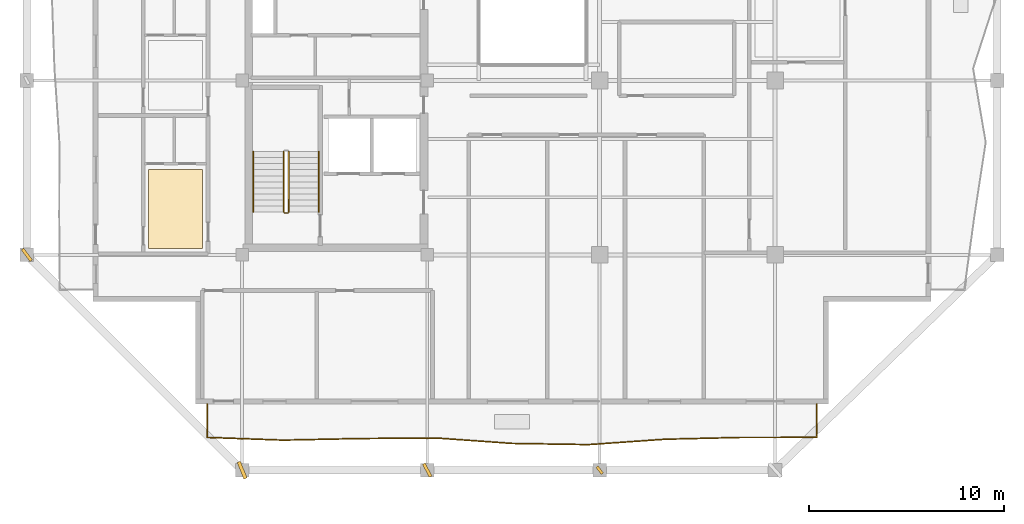
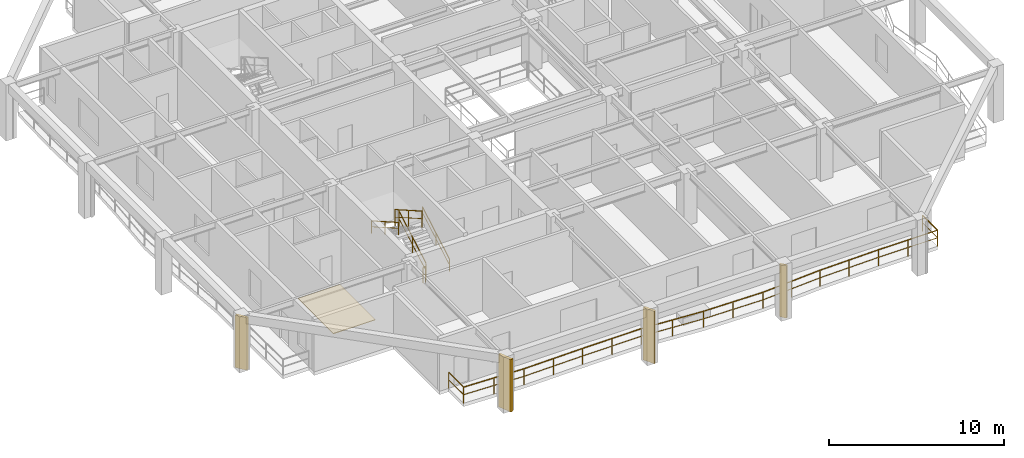
# One storey, part 7 of 11: 6 railings, 4 shading devices, 1 covering.
"""IFC4 building model written with IfcOpenShell, lengths in metres."""

import ifcopenshell
import ifcopenshell.guid

model = None  # the IFC model being written
_history = None  # IfcOwnerHistory: only IFC2X3 demands one
_inside = {}  # id of a spatial element -> (the spatial element, [elements in it])
_under = {}  # id of a project, library or spatial element -> (it, [spatial elements below it])
_declared = {}  # id of a project -> (the project, [libraries it declares])
_typed = {}  # id of a type object -> (the type object, [elements of that type])
_made_of = {}  # id of a material, layer set ... -> (it, [elements and type objects made of it])


def new_model(schema):
    """Start an empty IFC model of exactly this schema.

    Asked for "IFC4X3", IfcOpenShell would pick the latest addendum, in which some entities
    have other attributes; the version numbers below select the first issue.
    IFC2X3 requires an IfcOwnerHistory on every rooted entity: one is made here for all.
    """
    global model, _history
    if schema == "IFC4X3":
        model = ifcopenshell.file(schema_version=(4, 3, 0, 0))
    else:
        model = ifcopenshell.file(schema=schema)
    _inside.clear()
    _under.clear()
    _declared.clear()
    _typed.clear()
    _made_of.clear()
    _history = None
    if model.schema == "IFC2X3":
        org = make("IfcOrganization", Name="unknown")
        user = make(
            "IfcPersonAndOrganization",
            ThePerson=make("IfcPerson", FamilyName="unknown"),
            TheOrganization=org,
        )
        app = make(
            "IfcApplication",
            ApplicationDeveloper=org,
            Version="unknown",
            ApplicationFullName="unknown",
            ApplicationIdentifier="unknown",
        )
        _history = make(
            "IfcOwnerHistory",
            OwningUser=user,
            OwningApplication=app,
            ChangeAction="ADDED",
            CreationDate=0,
        )
    return model


def make(cls, **values):
    """One entity of the class cls with the attributes given. An attribute that is None is left unset."""
    return model.create_entity(
        cls, **{name: value for name, value in values.items() if value is not None}
    )


def rooted(cls, **values):
    """An entity with a GlobalId (a new one), such as an element, a storey or a relation."""
    return make(cls, GlobalId=ifcopenshell.guid.new(), OwnerHistory=_history, **values)


def si_unit(unit_type, name, prefix=None):
    """IfcSIUnit, for example si_unit("LENGTHUNIT", "METRE", prefix="MILLI")."""
    return make("IfcSIUnit", UnitType=unit_type, Prefix=prefix, Name=name)


def assignment(units):
    """IfcUnitAssignment: the units of a project."""
    return None if units is None else make("IfcUnitAssignment", Units=units)


def point(xyz):
    """IfcCartesianPoint."""
    return None if xyz is None else make("IfcCartesianPoint", Coordinates=xyz)


def direction(xyz):
    """IfcDirection."""
    return None if xyz is None else make("IfcDirection", DirectionRatios=xyz)


def frame(location, z_axis=None, x_axis=None):
    """IfcAxis2Placement3D, a coordinate frame: its origin and axes. An axis left out is left unset."""
    return make(
        "IfcAxis2Placement3D",
        Location=point(location),
        Axis=direction(z_axis),
        RefDirection=direction(x_axis),
    )


def frame_2d(location, x_axis=None):
    """IfcAxis2Placement2D, a coordinate frame in the plane: its origin and x axis."""
    return make(
        "IfcAxis2Placement2D", Location=point(location), RefDirection=direction(x_axis)
    )


def origin():
    """The frame at (0, 0, 0) with its axes left unset."""
    return frame((0.0, 0.0, 0.0))


def origin_2d():
    """The frame at (0, 0) in the plane with its x axis left unset."""
    return frame_2d((0.0, 0.0))


def place(relative_to, where):
    """IfcLocalPlacement: puts the frame where relative to a parent placement (None: the world)."""
    return make(
        "IfcLocalPlacement", PlacementRelTo=relative_to, RelativePlacement=where
    )


def context(
    kind, dimensions, precision=None, world=None, true_north=None, identifier=None
):
    """IfcGeometricRepresentationContext, for example the 3D "Model" context."""
    return make(
        "IfcGeometricRepresentationContext",
        ContextIdentifier=identifier,
        ContextType=kind,
        CoordinateSpaceDimension=dimensions,
        Precision=precision,
        WorldCoordinateSystem=world,
        TrueNorth=true_north,
    )


def subcontext(parent, identifier, kind, view, scale=None):
    """IfcGeometricRepresentationSubContext, for example "Body" below "Model"."""
    return make(
        "IfcGeometricRepresentationSubContext",
        ContextIdentifier=identifier,
        ContextType=kind,
        ParentContext=parent,
        TargetScale=scale,
        TargetView=view,
    )


def project(units=None, contexts=None):
    """IfcProject with its units and contexts."""
    return rooted(
        "IfcProject",
        Name="project",
        RepresentationContexts=contexts,
        UnitsInContext=assignment(units),
    )


def spatial(cls, under=None, at=None, **own):
    """A site, building, storey or space (cls), placed at a placement, below another one or the project."""
    s = rooted(cls, ObjectPlacement=at, **own)
    if under is not None:
        _under.setdefault(under.id(), (under, []))[1].append(s)
    return s


def polyline(points):
    """IfcPolyline through the points."""
    return make("IfcPolyline", Points=[point(p) for p in points])


def profile(cls, at=None, kind="AREA", **sizes):
    """A parametric profile (cls). Its sizes go by their IFC names, for example OverallWidth=200.0."""
    return make(cls, ProfileType=kind, Position=at, **sizes)


def rectangle(**sizes):
    """IfcRectangleProfileDef."""
    return profile("IfcRectangleProfileDef", **sizes)


def outline(outer, holes=None, kind="AREA"):
    """IfcArbitraryClosedProfileDef: a profile drawn as a closed curve; with holes, ...WithVoids."""
    if holes is None:
        return make("IfcArbitraryClosedProfileDef", ProfileType=kind, OuterCurve=outer)
    return make(
        "IfcArbitraryProfileDefWithVoids",
        ProfileType=kind,
        OuterCurve=outer,
        InnerCurves=holes,
    )


def extrude(swept, where, along, depth):
    """IfcExtrudedAreaSolid: the profile swept, set in the frame where, extruded along a direction by depth."""
    return make(
        "IfcExtrudedAreaSolid",
        SweptArea=swept,
        Position=where,
        ExtrudedDirection=direction(along),
        Depth=depth,
    )


def shape(context_of_items, identifier, shape_type, items):
    """IfcShapeRepresentation: the items that make up one representation, for example the "Body"."""
    return make(
        "IfcShapeRepresentation",
        ContextOfItems=context_of_items,
        RepresentationIdentifier=identifier,
        RepresentationType=shape_type,
        Items=items,
    )


def material(Name=None, Category=None):
    """IfcMaterial."""
    return make("IfcMaterial", Name=Name, Category=Category)


def layer(
    of_material, thickness, ventilated=None, Name=None, Category=None, Priority=None
):
    """IfcMaterialLayer: one layer of a wall or slab, of a material (None: an air gap)."""
    return make(
        "IfcMaterialLayer",
        Material=of_material,
        LayerThickness=thickness,
        IsVentilated=ventilated,
        Name=Name,
        Category=Category,
        Priority=Priority,
    )


def layer_set(layers, Name=None):
    """IfcMaterialLayerSet."""
    return make("IfcMaterialLayerSet", MaterialLayers=layers, LayerSetName=Name)


def made_of(thing, what):
    """Note that an element or type object is made of a material, layer set ...; save() writes the relation."""
    if what is not None:
        _made_of.setdefault(what.id(), (what, []))[1].append(thing)
    return thing


def type_object(cls, material=None, **own):
    """A type object (cls), such as IfcWallType, which elements share."""
    return made_of(rooted(cls, **own), material)


def element(
    cls,
    number,
    at=None,
    inside=None,
    cuts=None,
    type_object=None,
    material=None,
    context=None,
    identifier="Body",
    shape_type=None,
    held_by="IfcProductDefinitionShape",
    body=None,
    shapes=None,
    **own,
):
    """One element of the class cls, such as IfcWall. Its Tag is "e" and its number.

    at: its placement. inside: the storey or other place that contains it. cuts: it is an
    opening in that element (IfcRelVoidsElement). A single representation is given by context,
    identifier, shape_type and body (its items); several are given by shapes. held_by: the class
    of the entity that holds the representations. save() writes the other relations.
    """
    e = rooted(cls, Tag="e%d" % number, ObjectPlacement=at, **own)
    if body is not None:
        shapes = [shape(context, identifier, shape_type, body)]
    if shapes is not None:
        e.Representation = make(held_by, Representations=shapes)
    if inside is not None:
        _inside.setdefault(inside.id(), (inside, []))[1].append(e)
    if cuts is not None:
        rooted(
            "IfcRelVoidsElement", RelatingBuildingElement=cuts, RelatedOpeningElement=e
        )
    if type_object is not None:
        _typed.setdefault(type_object.id(), (type_object, []))[1].append(e)
    return made_of(e, material)


def aggregate(whole, parts):
    """IfcRelAggregates: a whole, such as a stair, and the parts it consists of."""
    return rooted("IfcRelAggregates", RelatingObject=whole, RelatedObjects=parts)


def save(model, path):
    """Write the relations noted so far, then the file.

    IfcRelAggregates (storeys below a building ...), IfcRelContainedInSpatialStructure (elements
    in a storey), IfcRelDefinesByType, IfcRelAssociatesMaterial and IfcRelDeclares: one each for
    every whole, place, type object, material and project.
    """
    for whole, parts in _under.values():
        aggregate(whole, parts)
    for where, things in _inside.values():
        rooted(
            "IfcRelContainedInSpatialStructure",
            RelatedElements=things,
            RelatingStructure=where,
        )
    for kind, things in _typed.values():
        rooted("IfcRelDefinesByType", RelatedObjects=things, RelatingType=kind)
    for what, things in _made_of.values():
        rooted("IfcRelAssociatesMaterial", RelatedObjects=things, RelatingMaterial=what)
    for by, libraries in _declared.values():
        rooted("IfcRelDeclares", RelatingContext=by, RelatedDefinitions=libraries)
    model.write(path)


model = new_model("IFC4")

# Units and contexts
model_context = context("Model", 3, precision=1e-05, world=origin(), true_north=direction((0.0, 1.0)))
body_context = subcontext(model_context, "Body", "Model", "MODEL_VIEW")
ifc_project = project(units=[si_unit("LENGTHUNIT", "METRE"), si_unit("AREAUNIT", "SQUARE_METRE"), si_unit("VOLUMEUNIT", "CUBIC_METRE"), si_unit("PLANEANGLEUNIT", "RADIAN"), si_unit("MASSUNIT", "GRAM", prefix="KILO")], contexts=[model_context])

# Site, building, storey
site_placement = place(None, origin())
site = spatial("IfcSite", under=ifc_project, at=site_placement, CompositionType="ELEMENT")
building_placement = place(site_placement, origin())
building = spatial("IfcBuilding", under=site, at=building_placement, Name="Kundavana Baori Tower", CompositionType="ELEMENT")
storey_placement = place(building_placement, frame((0.0, 0.0, 264.800048828125)))
storey = spatial("IfcBuildingStorey", under=building, at=storey_placement, Name="L65", CompositionType="ELEMENT", Elevation=264.800048828125)

# Covering
ifc_material_1 = material(Name="Honed Kota Stone and Terrazzo Flooring", Category="masonry")
ifc_layer = layer(ifc_material_1, 0.0400390625, Name="COV-FLR-TERR-40")
ifc_layer_set = layer_set([ifc_layer], Name="Honed Kota Stone and Terrazzo Flooring")
covering_type = type_object("IfcCoveringType", Name="COV-FLR-TERR-40", PredefinedType="FLOORING", material=ifc_layer_set)
covering_placement = place(storey_placement, origin())
element("IfcCovering", 1, at=covering_placement, inside=storey, type_object=covering_type, Name="L65 Room Finished Stone Flooring 1", PredefinedType="FLOORING", context=body_context, shape_type="SweptSolid", body=[
    extrude(outline(polyline([(10.64990234375, 15.580078125), (13.419921875, 15.580078125), (13.419921875, 19.639892578125), (10.64990234375, 19.639892578125), (10.64990234375, 15.580078125)])), origin(), (0.0, 0.0, 1.0), 0.0400390625),
])

# Railings
ifc_material_2 = material(Name="Architectural Patinated Bronze Metalwork")
railing_type_1 = type_object("IfcRailingType", Name="RL-BAL-1150", PredefinedType="BALUSTRADE", material=ifc_material_2)
railing_1_placement = place(storey_placement, frame((44.949951171875, 7.60009765625, 0.0)))
element("IfcRailing", 2, at=railing_1_placement, inside=storey, type_object=railing_type_1, Name="L65 Loggia Balcony Balustrade S", PredefinedType="BALUSTRADE", context=body_context, shape_type="SweptSolid", body=[
    extrude(rectangle(XDim=0.048095703125, YDim=0.048095703125, at=origin_2d()), frame((0.0, 0.0, 1.1259765625), z_axis=(0.0, -1.0, 0.0), x_axis=(1.0, 0.0, 0.0)), (0.0, 0.0, 1.0), 1.72021484375),
    extrude(rectangle(XDim=0.03125, YDim=0.03125, at=origin_2d()), frame((0.0, 0.0, 0.597900390625), z_axis=(0.0, -1.0, 0.0), x_axis=(1.0, 0.0, 0.0)), (0.0, 0.0, 1.0), 1.72021484375),
    extrude(rectangle(XDim=0.048095703125, YDim=0.048095703125, at=origin_2d()), frame((0.0, -1.72021484375, 1.1259765625), z_axis=(-0.999999719557, -0.000748923213, 0.0), x_axis=(0.000748923213, -0.999999719557, 0.0)), (0.0, 0.0, 1.0), 3.911865234375),
    extrude(rectangle(XDim=0.03125, YDim=0.03125, at=origin_2d()), frame((0.0, -1.72021484375, 0.597900390625), z_axis=(-0.999999719557, -0.000748923213, 0.0), x_axis=(0.000748923213, -0.999999719557, 0.0)), (0.0, 0.0, 1.0), 3.911865234375),
    extrude(rectangle(XDim=0.048095703125, YDim=0.048095703125, at=origin_2d()), frame((-3.911865234375, -1.72314453125, 1.1259765625), z_axis=(-0.999711633431, -0.024013537489, 0.0), x_axis=(0.024013537489, -0.999711633431, 0.0)), (0.0, 0.0, 1.0), 3.914306640625),
    extrude(rectangle(XDim=0.03125, YDim=0.03125, at=origin_2d()), frame((-3.911865234375, -1.72314453125, 0.597900390625), z_axis=(-0.999711633431, -0.024013537489, 0.0), x_axis=(0.024013537489, -0.999711633431, 0.0)), (0.0, 0.0, 1.0), 3.914306640625),
    extrude(rectangle(XDim=0.048095703125, YDim=0.048095703125, at=origin_2d()), frame((-7.824951171875, -1.817138671875, 1.1259765625), z_axis=(-0.997557579255, -0.069848951818, 0.0), x_axis=(0.069848951818, -0.997557579255, 0.0)), (0.0, 0.0, 1.0), 3.921630859375),
    extrude(rectangle(XDim=0.03125, YDim=0.03125, at=origin_2d()), frame((-7.824951171875, -1.817138671875, 0.597900390625), z_axis=(-0.997557579255, -0.069848951818, 0.0), x_axis=(0.069848951818, -0.997557579255, 0.0)), (0.0, 0.0, 1.0), 3.921630859375),
    extrude(rectangle(XDim=0.048095703125, YDim=0.048095703125, at=origin_2d()), frame((-11.737060546875, -2.091064453125, 1.1259765625), z_axis=(-0.999878362831, 0.015596779853, 0.0), x_axis=(-0.015596779853, -0.999878362831, 0.0)), (0.0, 0.0, 1.0), 3.913330078125),
    extrude(rectangle(XDim=0.03125, YDim=0.03125, at=origin_2d()), frame((-11.737060546875, -2.091064453125, 0.597900390625), z_axis=(-0.999878362831, 0.015596779853, 0.0), x_axis=(-0.015596779853, -0.999878362831, 0.0)), (0.0, 0.0, 1.0), 3.913330078125),
    extrude(rectangle(XDim=0.048095703125, YDim=0.048095703125, at=origin_2d()), frame((-15.64990234375, -2.030029296875, 1.1259765625), z_axis=(-0.997465646662, 0.071149727542, 0.0), x_axis=(-0.071149727542, -0.997465646662, 0.0)), (0.0, 0.0, 1.0), 3.922119140625),
    extrude(rectangle(XDim=0.03125, YDim=0.03125, at=origin_2d()), frame((-15.64990234375, -2.030029296875, 0.597900390625), z_axis=(-0.997465646662, 0.071149727542, 0.0), x_axis=(-0.071149727542, -0.997465646662, 0.0)), (0.0, 0.0, 1.0), 3.922119140625),
    extrude(rectangle(XDim=0.048095703125, YDim=0.048095703125, at=origin_2d()), frame((-19.56201171875, -1.7509765625, 1.1259765625), z_axis=(-0.999972436047, -0.007424765701, 0.0), x_axis=(0.007424765701, -0.999972436047, 0.0)), (0.0, 0.0, 1.0), 3.912841796875),
    extrude(rectangle(XDim=0.03125, YDim=0.03125, at=origin_2d()), frame((-19.56201171875, -1.7509765625, 0.597900390625), z_axis=(-0.999972436047, -0.007424765701, 0.0), x_axis=(0.007424765701, -0.999972436047, 0.0)), (0.0, 0.0, 1.0), 3.912841796875),
    extrude(rectangle(XDim=0.048095703125, YDim=0.048095703125, at=origin_2d()), frame((-23.474853515625, -1.780029296875, 1.1259765625), z_axis=(-0.999785539271, -0.02070930865, 0.0), x_axis=(0.02070930865, -0.999785539271, 0.0)), (0.0, 0.0, 1.0), 3.913818359375),
    extrude(rectangle(XDim=0.03125, YDim=0.03125, at=origin_2d()), frame((-23.474853515625, -1.780029296875, 0.597900390625), z_axis=(-0.999785539271, -0.02070930865, 0.0), x_axis=(0.02070930865, -0.999785539271, 0.0)), (0.0, 0.0, 1.0), 3.913818359375),
    extrude(rectangle(XDim=0.048095703125, YDim=0.048095703125, at=origin_2d()), frame((-27.387939453125, -1.861083984375, 1.1259765625), z_axis=(-0.999352324192, 0.035985165443, 0.0), x_axis=(-0.035985165443, -0.999352324192, 0.0)), (0.0, 0.0, 1.0), 3.91455078125),
    extrude(rectangle(XDim=0.03125, YDim=0.03125, at=origin_2d()), frame((-27.387939453125, -1.861083984375, 0.597900390625), z_axis=(-0.999352324192, 0.035985165443, 0.0), x_axis=(-0.035985165443, -0.999352324192, 0.0)), (0.0, 0.0, 1.0), 3.91455078125),
    extrude(rectangle(XDim=0.048095703125, YDim=0.048095703125, at=origin_2d()), frame((-31.300048828125, -1.72021484375, 1.1259765625), z_axis=(0.0, 1.0, 0.0), x_axis=(-1.0, 0.0, 0.0)), (0.0, 0.0, 1.0), 1.72021484375),
    extrude(rectangle(XDim=0.03125, YDim=0.03125, at=origin_2d()), frame((-31.300048828125, -1.72021484375, 0.597900390625), z_axis=(0.0, 1.0, 0.0), x_axis=(-1.0, 0.0, 0.0)), (0.0, 0.0, 1.0), 1.72021484375),
    extrude(rectangle(XDim=0.0419921875, YDim=0.0419921875, at=origin_2d()), origin(), (0.0, 0.0, 1.0), 1.101806640625),
    extrude(rectangle(XDim=0.0419921875, YDim=0.0419921875, at=origin_2d()), frame((0.0, -1.72021484375, 0.0)), (0.0, 0.0, 1.0), 1.101806640625),
    extrude(rectangle(XDim=0.0419921875, YDim=0.0419921875, at=origin_2d()), frame((-1.9560546875, -1.7216796875, 0.0)), (0.0, 0.0, 1.0), 1.101806640625),
    extrude(rectangle(XDim=0.0419921875, YDim=0.0419921875, at=origin_2d()), frame((-3.911865234375, -1.72314453125, 0.0)), (0.0, 0.0, 1.0), 1.101806640625),
    extrude(rectangle(XDim=0.0419921875, YDim=0.0419921875, at=origin_2d()), frame((-5.868408203125, -1.77001953125, 0.0)), (0.0, 0.0, 1.0), 1.101806640625),
    extrude(rectangle(XDim=0.0419921875, YDim=0.0419921875, at=origin_2d()), frame((-7.824951171875, -1.817138671875, 0.0)), (0.0, 0.0, 1.0), 1.101806640625),
    extrude(rectangle(XDim=0.0419921875, YDim=0.0419921875, at=origin_2d()), frame((-9.781005859375, -1.9541015625, 0.0)), (0.0, 0.0, 1.0), 1.101806640625),
    extrude(rectangle(XDim=0.0419921875, YDim=0.0419921875, at=origin_2d()), frame((-11.737060546875, -2.091064453125, 0.0)), (0.0, 0.0, 1.0), 1.101806640625),
    extrude(rectangle(XDim=0.0419921875, YDim=0.0419921875, at=origin_2d()), frame((-13.693359375, -2.060546875, 0.0)), (0.0, 0.0, 1.0), 1.101806640625),
    extrude(rectangle(XDim=0.0419921875, YDim=0.0419921875, at=origin_2d()), frame((-15.64990234375, -2.030029296875, 0.0)), (0.0, 0.0, 1.0), 1.101806640625),
    extrude(rectangle(XDim=0.0419921875, YDim=0.0419921875, at=origin_2d()), frame((-17.60595703125, -1.890625, 0.0)), (0.0, 0.0, 1.0), 1.101806640625),
    extrude(rectangle(XDim=0.0419921875, YDim=0.0419921875, at=origin_2d()), frame((-19.56201171875, -1.7509765625, 0.0)), (0.0, 0.0, 1.0), 1.101806640625),
    extrude(rectangle(XDim=0.0419921875, YDim=0.0419921875, at=origin_2d()), frame((-21.5185546875, -1.765625, 0.0)), (0.0, 0.0, 1.0), 1.101806640625),
    extrude(rectangle(XDim=0.0419921875, YDim=0.0419921875, at=origin_2d()), frame((-23.474853515625, -1.780029296875, 0.0)), (0.0, 0.0, 1.0), 1.101806640625),
    extrude(rectangle(XDim=0.0419921875, YDim=0.0419921875, at=origin_2d()), frame((-25.431396484375, -1.820556640625, 0.0)), (0.0, 0.0, 1.0), 1.101806640625),
    extrude(rectangle(XDim=0.0419921875, YDim=0.0419921875, at=origin_2d()), frame((-27.387939453125, -1.861083984375, 0.0)), (0.0, 0.0, 1.0), 1.101806640625),
    extrude(rectangle(XDim=0.0419921875, YDim=0.0419921875, at=origin_2d()), frame((-29.343994140625, -1.79052734375, 0.0)), (0.0, 0.0, 1.0), 1.101806640625),
    extrude(rectangle(XDim=0.0419921875, YDim=0.0419921875, at=origin_2d()), frame((-31.300048828125, -1.72021484375, 0.0)), (0.0, 0.0, 1.0), 1.101806640625),
    extrude(rectangle(XDim=0.0419921875, YDim=0.0419921875, at=origin_2d()), frame((-31.300048828125, 0.0, 0.0)), (0.0, 0.0, 1.0), 1.101806640625),
])
ifc_material_3 = material(Name="Architectural Patinated Bronze Metalwork")
railing_type_2 = type_object("IfcRailingType", Name="RL-GRD-1150", PredefinedType="GUARDRAIL", material=ifc_material_3)
railing_2_placement = place(storey_placement, frame((17.840087890625, 17.449951171875, 0.17724609375)))
element("IfcRailing", 3, at=railing_2_placement, inside=storey, type_object=railing_type_2, Name="L65 ST1 stair guard 1", PredefinedType="GUARDRAIL", context=body_context, shape_type="SweptSolid", body=[
    extrude(rectangle(XDim=0.048095703125, YDim=0.048095703125, at=origin_2d()), frame((0.0, 0.0, 1.1259765625), z_axis=(0.0, 0.868095856688, 0.496396599103), x_axis=(-1.0, 0.0, 0.0)), (0.0, 0.0, 1.0), 3.571044921875),
    extrude(rectangle(XDim=0.03125, YDim=0.03125, at=origin_2d()), frame((0.0, 0.0, 0.597900390625), z_axis=(0.0, 0.868095856688, 0.496396599103), x_axis=(-1.0, 0.0, 0.0)), (0.0, 0.0, 1.0), 3.571044921875),
    extrude(rectangle(XDim=0.0419921875, YDim=0.0419921875, at=origin_2d()), origin(), (0.0, 0.0, 1.0), 1.101806640625),
    extrude(rectangle(XDim=0.0419921875, YDim=0.0419921875, at=origin_2d()), frame((0.0, 1.550048828125, 0.88623046875)), (0.0, 0.0, 1.0), 1.101806640625),
    extrude(rectangle(XDim=0.0419921875, YDim=0.0419921875, at=origin_2d()), frame((0.0, 3.10009765625, 1.772705078125)), (0.0, 0.0, 1.0), 1.101806640625),
])
railing_3_placement = place(storey_placement, frame((17.580078125, 20.550048828125, 2.127197265625)))
element("IfcRailing", 4, at=railing_3_placement, inside=storey, type_object=railing_type_2, Name="L65 ST1 stair guard 3", PredefinedType="GUARDRAIL", context=body_context, shape_type="SweptSolid", body=[
    extrude(rectangle(XDim=0.048095703125, YDim=0.048095703125, at=origin_2d()), frame((0.0, 0.0, 1.1259765625), z_axis=(0.0, -0.868095856688, 0.496396599103), x_axis=(1.0, 0.0, 0.0)), (0.0, 0.0, 1.0), 3.571044921875),
    extrude(rectangle(XDim=0.03125, YDim=0.03125, at=origin_2d()), frame((0.0, 0.0, 0.597900390625), z_axis=(0.0, -0.868095856688, 0.496396599103), x_axis=(1.0, 0.0, 0.0)), (0.0, 0.0, 1.0), 3.571044921875),
    extrude(rectangle(XDim=0.0419921875, YDim=0.0419921875, at=origin_2d()), origin(), (0.0, 0.0, 1.0), 1.101806640625),
    extrude(rectangle(XDim=0.0419921875, YDim=0.0419921875, at=origin_2d()), frame((0.0, -1.550048828125, 0.88623046875)), (0.0, 0.0, 1.0), 1.101806640625),
    extrude(rectangle(XDim=0.0419921875, YDim=0.0419921875, at=origin_2d()), frame((0.0, -3.10009765625, 1.772705078125)), (0.0, 0.0, 1.0), 1.101806640625),
])
railing_4_placement = place(storey_placement, frame((17.7900390625, 17.39990234375, 0.0)))
element("IfcRailing", 5, at=railing_4_placement, inside=storey, type_object=railing_type_2, Name="L65 ST1 stair guard 4", PredefinedType="GUARDRAIL", context=body_context, shape_type="SweptSolid", body=[
    extrude(rectangle(XDim=0.048095703125, YDim=0.048095703125, at=origin_2d()), frame((0.0, 0.0, 1.1259765625), z_axis=(-1.0, 0.0, 0.0), x_axis=(0.0, -1.0, 0.0)), (0.0, 0.0, 1.0), 0.16015625),
    extrude(rectangle(XDim=0.03125, YDim=0.03125, at=origin_2d()), frame((0.0, 0.0, 0.597900390625), z_axis=(-1.0, 0.0, 0.0), x_axis=(0.0, -1.0, 0.0)), (0.0, 0.0, 1.0), 0.16015625),
    extrude(rectangle(XDim=0.0419921875, YDim=0.0419921875, at=origin_2d()), origin(), (0.0, 0.0, 1.0), 1.101806640625),
    extrude(rectangle(XDim=0.0419921875, YDim=0.0419921875, at=origin_2d()), frame((-0.16015625, 0.0, 0.0)), (0.0, 0.0, 1.0), 1.101806640625),
])
ifc_material_4 = material(Name="Architectural Patinated Bronze Metalwork")
railing_type_3 = type_object("IfcRailingType", Name="RL-HND-920", PredefinedType="HANDRAIL", material=ifc_material_4)
railing_5_placement = place(storey_placement, frame((19.389892578125, 17.449951171875, 0.17724609375)))
element("IfcRailing", 6, at=railing_5_placement, inside=storey, type_object=railing_type_3, Name="L65 ST1 stair handrail 1", PredefinedType="HANDRAIL", context=body_context, shape_type="SweptSolid", body=[
    extrude(rectangle(XDim=0.048095703125, YDim=0.048095703125, at=origin_2d()), frame((0.0, 0.0, 0.8759765625), z_axis=(0.0, 0.868095856688, 0.496396599103), x_axis=(-1.0, 0.0, 0.0)), (0.0, 0.0, 1.0), 3.571044921875),
    extrude(rectangle(XDim=0.03125, YDim=0.03125, at=origin_2d()), frame((0.0, 0.0, 0.468017578125), z_axis=(0.0, 0.868095856688, 0.496396599103), x_axis=(-1.0, 0.0, 0.0)), (0.0, 0.0, 1.0), 3.571044921875),
    extrude(rectangle(XDim=0.0419921875, YDim=0.0419921875, at=origin_2d()), origin(), (0.0, 0.0, 1.0), 0.851806640625),
    extrude(rectangle(XDim=0.0419921875, YDim=0.0419921875, at=origin_2d()), frame((0.0, 1.550048828125, 0.88623046875)), (0.0, 0.0, 1.0), 0.851806640625),
    extrude(rectangle(XDim=0.0419921875, YDim=0.0419921875, at=origin_2d()), frame((0.0, 3.10009765625, 1.772705078125)), (0.0, 0.0, 1.0), 0.851806640625),
])
railing_6_placement = place(storey_placement, frame((16.030029296875, 20.550048828125, 2.127197265625)))
element("IfcRailing", 7, at=railing_6_placement, inside=storey, type_object=railing_type_3, Name="L65 ST1 stair handrail 2", PredefinedType="HANDRAIL", context=body_context, shape_type="SweptSolid", body=[
    extrude(rectangle(XDim=0.048095703125, YDim=0.048095703125, at=origin_2d()), frame((0.0, 0.0, 0.8759765625), z_axis=(0.0, -0.868095856688, 0.496396599103), x_axis=(1.0, 0.0, 0.0)), (0.0, 0.0, 1.0), 3.571044921875),
    extrude(rectangle(XDim=0.03125, YDim=0.03125, at=origin_2d()), frame((0.0, 0.0, 0.468017578125), z_axis=(0.0, -0.868095856688, 0.496396599103), x_axis=(1.0, 0.0, 0.0)), (0.0, 0.0, 1.0), 3.571044921875),
    extrude(rectangle(XDim=0.0419921875, YDim=0.0419921875, at=origin_2d()), origin(), (0.0, 0.0, 1.0), 0.851806640625),
    extrude(rectangle(XDim=0.0419921875, YDim=0.0419921875, at=origin_2d()), frame((0.0, -1.550048828125, 0.88623046875)), (0.0, 0.0, 1.0), 0.851806640625),
    extrude(rectangle(XDim=0.0419921875, YDim=0.0419921875, at=origin_2d()), frame((0.0, -3.10009765625, 1.772705078125)), (0.0, 0.0, 1.0), 0.851806640625),
])

# Shading devices
ifc_material_5 = material(Name="Red-Buff Dholpur Sandstone Cladding on Concrete C40/50", Category="masonry")
shading_device_type_1 = type_object("IfcShadingDeviceType", Name="SHD-FIN-750", PredefinedType="JALOUSIE", material=ifc_material_5)
for number, where, z_axis, x_axis, name in (
    (8, (24.949951171875, 4.199951171875, 0.0), (0.0, 0.0, 1.0), (0.88072546481, 0.473627127217, 0.0), "L65 Sweeping Dholpur Sandstone Facade Fin 2"),
    (9, (4.39990234375, 15.25, 0.0), (0.0, 0.0, 1.0), (0.798530461347, 0.601954402177, 0.0), "L65 Sweeping Dholpur Sandstone Facade Fin 5"),
):
    element("IfcShadingDevice", number, at=place(storey_placement, frame(where, z_axis=z_axis, x_axis=x_axis)), inside=storey, type_object=shading_device_type_1, Name=name, PredefinedType="JALOUSIE", context=body_context, shape_type="SweptSolid", body=[
        extrude(rectangle(XDim=0.159912109375, YDim=0.75, at=origin_2d()), origin(), (0.0, 0.0, 1.0), 3.659912109375),
    ])
ifc_material_6 = material(Name="Red-Buff Dholpur Sandstone Cladding on Concrete C40/50", Category="masonry")
shading_device_type_2 = type_object("IfcShadingDeviceType", Name="SHD-FIN-920", PredefinedType="JALOUSIE", material=ifc_material_6)
shading_device_1_placement = place(storey_placement, frame((15.449951171875, 4.199951171875, 0.0), z_axis=(0.0, 0.0, 1.0), x_axis=(0.926002419716, 0.377517574003, 0.0)))
element("IfcShadingDevice", 10, at=shading_device_1_placement, inside=storey, type_object=shading_device_type_2, Name="L65 Sweeping Dholpur Sandstone Facade Fin 1", PredefinedType="JALOUSIE", context=body_context, shape_type="SweptSolid", body=[
    extrude(rectangle(XDim=0.179931640625, YDim=0.919921875, at=origin_2d()), origin(), (0.0, 0.0, 1.0), 3.659912109375),
])
ifc_material_7 = material(Name="Architectural Patinated Bronze Metalwork")
shading_device_type_3 = type_object("IfcShadingDeviceType", Name="SHD-LOUV-450", PredefinedType="SHUTTER", material=ifc_material_7)
shading_device_2_placement = place(storey_placement, frame((33.800048828125, 4.199951171875, 0.0), z_axis=(0.0, 0.0, 1.0), x_axis=(0.790261972801, 0.612769136253, 0.0)))
element("IfcShadingDevice", 11, at=shading_device_2_placement, inside=storey, type_object=shading_device_type_3, Name="L65 Sweeping Dholpur Sandstone Facade Fin 3", PredefinedType="SHUTTER", context=body_context, shape_type="SweptSolid", body=[
    extrude(rectangle(XDim=0.139892578125, YDim=0.449951171875, at=origin_2d()), origin(), (0.0, 0.0, 1.0), 3.659912109375),
])

save(model, "model.ifc")
